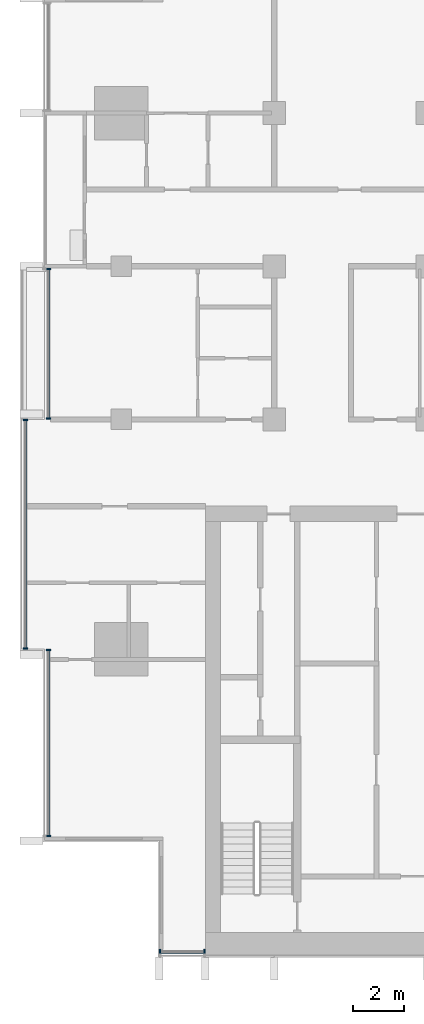
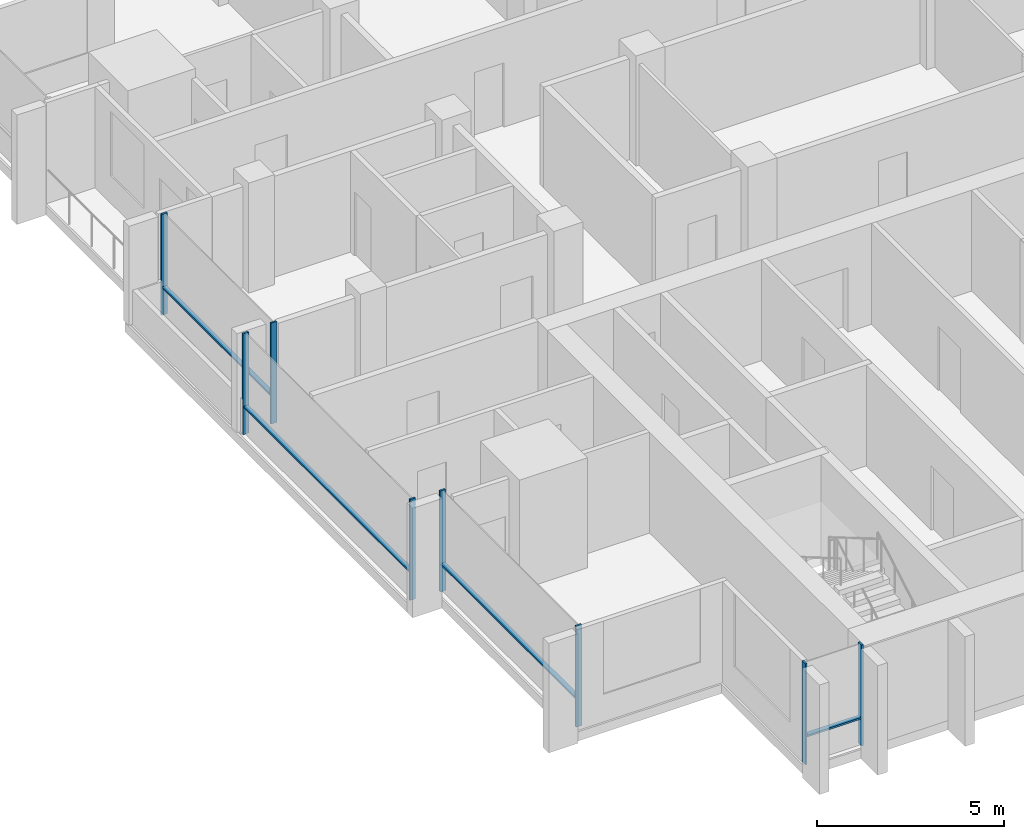
# One storey, part 2 of 16: 12 members, 4 elements without a shape of their own.
"""IFC4 building model written with IfcOpenShell, lengths in metres."""

from ifc_helpers import new_model, si_unit, direction, frame, origin, origin_2d, place, context, subcontext, project, spatial, rectangle, extrude, material, material_profile, profile_set, type_object, element, aggregate, save


model = new_model("IFC4")

# Units and contexts
model_context = context("Model", 3, precision=1e-05, world=origin(), true_north=direction((0.0, 1.0)))
body_context = subcontext(model_context, "Body", "Model", "MODEL_VIEW")
ifc_project = project(units=[si_unit("LENGTHUNIT", "METRE"), si_unit("AREAUNIT", "SQUARE_METRE"), si_unit("VOLUMEUNIT", "CUBIC_METRE"), si_unit("PLANEANGLEUNIT", "RADIAN"), si_unit("MASSUNIT", "GRAM", prefix="KILO")], contexts=[model_context])

# Site, building, storey
site_placement = place(None, origin())
site = spatial("IfcSite", under=ifc_project, at=site_placement, CompositionType="ELEMENT")
building_placement = place(site_placement, origin())
building = spatial("IfcBuilding", under=site, at=building_placement, Name="Finial Court Residences", CompositionType="ELEMENT")
storey_placement = place(building_placement, frame((0.0, 0.0, 208.699951171875)))
storey = spatial("IfcBuildingStorey", under=building, at=storey_placement, Name="L52", CompositionType="ELEMENT", Elevation=208.699951171875)

# Curtain wall, members
ifc_material = material(Name="Bronze anodised aluminium", Category="aluminium")
curtain_wall_type = type_object("IfcCurtainWallType", Name="Unitised curtain wall, upper zones", PredefinedType="NOTDEFINED", material=ifc_material)
curtain_wall_1_placement = place(storey_placement, origin())
curtain_wall_1 = element("IfcCurtainWall", 1, at=curtain_wall_1_placement, inside=storey, type_object=curtain_wall_type, Name="E-L52-CW-S7", PredefinedType="NOTDEFINED")
ifc_material_profile_1 = material_profile(ifc_material, rectangle(XDim=0.175048828125, YDim=0.06005859375, at=origin_2d()), Name="CW2 mullion 60 x 175")
ifc_profile_set_1 = profile_set([ifc_material_profile_1], Name="Bronze anodised aluminium")
member_type_1 = type_object("IfcMemberType", Name="CW2 mullion 60 x 175", PredefinedType="MULLION", material=ifc_profile_set_1)
member_1_placement = place(storey_placement, frame((-14.969970703125, -25.35009765625, 0.0), z_axis=(0.0, 0.0, 1.0), x_axis=(0.0, 1.0, 0.0)))
member_1 = element("IfcMember", 2, at=member_1_placement, type_object=member_type_1, Name="CW2 mullion 1", PredefinedType="MULLION", context=body_context, shape_type="SweptSolid", body=[
    extrude(rectangle(XDim=0.175048828125, YDim=0.06005859375, at=origin_2d()), origin(), (0.0, 0.0, 1.0), 3.300048828125),
])
member_2_placement = place(storey_placement, frame((-13.22998046875, -25.35009765625, 0.0), z_axis=(0.0, 0.0, 1.0), x_axis=(0.0, 1.0, 0.0)))
member_2 = element("IfcMember", 3, at=member_2_placement, type_object=member_type_1, Name="CW2 mullion 2", PredefinedType="MULLION", context=body_context, shape_type="SweptSolid", body=[
    extrude(rectangle(XDim=0.175048828125, YDim=0.06005859375, at=origin_2d()), origin(), (0.0, 0.0, 1.0), 3.300048828125),
])

curtain_wall_2_placement = place(storey_placement, origin())
curtain_wall_2 = element("IfcCurtainWall", 4, at=curtain_wall_2_placement, inside=storey, type_object=curtain_wall_type, Name="E-L52-CW-W9", PredefinedType="NOTDEFINED")
member_3_placement = place(storey_placement, frame((-19.35009765625, -20.820068359375, 0.0), z_axis=(0.0, 0.0, 1.0), x_axis=(-1.0, 0.0, 0.0)))
member_3 = element("IfcMember", 5, at=member_3_placement, type_object=member_type_1, Name="CW2 mullion 1", PredefinedType="MULLION", context=body_context, shape_type="SweptSolid", body=[
    extrude(rectangle(XDim=0.175048828125, YDim=0.06005859375, at=origin_2d()), origin(), (0.0, 0.0, 1.0), 3.300048828125),
])
member_4_placement = place(storey_placement, frame((-19.35009765625, -13.530029296875, 0.0), z_axis=(0.0, 0.0, 1.0), x_axis=(-1.0, 0.0, 0.0)))
member_4 = element("IfcMember", 6, at=member_4_placement, type_object=member_type_1, Name="CW2 mullion 2", PredefinedType="MULLION", context=body_context, shape_type="SweptSolid", body=[
    extrude(rectangle(XDim=0.175048828125, YDim=0.06005859375, at=origin_2d()), origin(), (0.0, 0.0, 1.0), 3.300048828125),
])

curtain_wall_3_placement = place(storey_placement, origin())
curtain_wall_3 = element("IfcCurtainWall", 7, at=curtain_wall_3_placement, inside=storey, type_object=curtain_wall_type, Name="E-L52-CW-W10", PredefinedType="NOTDEFINED")
member_5_placement = place(storey_placement, frame((-20.25, -13.469970703125, 0.0), z_axis=(0.0, 0.0, 1.0), x_axis=(-1.0, 0.0, 0.0)))
member_5 = element("IfcMember", 8, at=member_5_placement, type_object=member_type_1, Name="CW2 mullion 1", PredefinedType="MULLION", context=body_context, shape_type="SweptSolid", body=[
    extrude(rectangle(XDim=0.175048828125, YDim=0.06005859375, at=origin_2d()), origin(), (0.0, 0.0, 1.0), 3.300048828125),
])
member_6_placement = place(storey_placement, frame((-20.25, -4.530029296875, 0.0), z_axis=(0.0, 0.0, 1.0), x_axis=(-1.0, 0.0, 0.0)))
member_6 = element("IfcMember", 9, at=member_6_placement, type_object=member_type_1, Name="CW2 mullion 2", PredefinedType="MULLION", context=body_context, shape_type="SweptSolid", body=[
    extrude(rectangle(XDim=0.175048828125, YDim=0.06005859375, at=origin_2d()), origin(), (0.0, 0.0, 1.0), 3.300048828125),
])

curtain_wall_4_placement = place(storey_placement, origin())
curtain_wall_4 = element("IfcCurtainWall", 10, at=curtain_wall_4_placement, inside=storey, type_object=curtain_wall_type, Name="E-L52-CW-W11", PredefinedType="NOTDEFINED")
member_7_placement = place(storey_placement, frame((-19.35009765625, -4.469970703125, 0.0), z_axis=(0.0, 0.0, 1.0), x_axis=(-1.0, 0.0, 0.0)))
member_7 = element("IfcMember", 11, at=member_7_placement, type_object=member_type_1, Name="CW2 mullion 1", PredefinedType="MULLION", context=body_context, shape_type="SweptSolid", body=[
    extrude(rectangle(XDim=0.175048828125, YDim=0.06005859375, at=origin_2d()), origin(), (0.0, 0.0, 1.0), 3.300048828125),
])
member_8_placement = place(storey_placement, frame((-19.35009765625, 1.39501953125, 0.0), z_axis=(0.0, 0.0, 1.0), x_axis=(-1.0, 0.0, 0.0)))
member_8 = element("IfcMember", 12, at=member_8_placement, type_object=member_type_1, Name="CW2 mullion 2", PredefinedType="MULLION", context=body_context, shape_type="SweptSolid", body=[
    extrude(rectangle(XDim=0.175048828125, YDim=0.06005859375, at=origin_2d()), origin(), (0.0, 0.0, 1.0), 3.300048828125),
])

# Member
ifc_material_profile_2 = material_profile(ifc_material, rectangle(XDim=0.139892578125, YDim=0.06005859375, at=origin_2d()), Name="CW2 transom 60 x 140")
ifc_profile_set_2 = profile_set([ifc_material_profile_2], Name="Bronze anodised aluminium")
member_type_2 = type_object("IfcMemberType", Name="CW2 transom 60 x 140", PredefinedType="USERDEFINED", material=ifc_profile_set_2)
member_9_placement = place(storey_placement, frame((-14.93994140625, -25.35009765625, 0.900146484375), z_axis=(1.0, 0.0, 0.0), x_axis=(0.0, 1.0, 0.0)))
member_9 = element("IfcMember", 13, at=member_9_placement, type_object=member_type_2, Name="CW2 transom 1.1", ObjectType="TRANSOM", PredefinedType="USERDEFINED", context=body_context, shape_type="SweptSolid", body=[
    extrude(rectangle(XDim=0.139892578125, YDim=0.06005859375, at=origin_2d()), origin(), (0.0, 0.0, 1.0), 1.679931640625),
])

aggregate(curtain_wall_1, [member_1, member_2, member_9])

member_10_placement = place(storey_placement, frame((-19.35009765625, -20.7900390625, 0.900146484375), z_axis=(0.0, 1.0, 0.0), x_axis=(-1.0, 0.0, 0.0)))
member_10 = element("IfcMember", 14, at=member_10_placement, type_object=member_type_2, Name="CW2 transom 1.1", ObjectType="TRANSOM", PredefinedType="USERDEFINED", context=body_context, shape_type="SweptSolid", body=[
    extrude(rectangle(XDim=0.139892578125, YDim=0.06005859375, at=origin_2d()), origin(), (0.0, 0.0, 1.0), 7.22998046875),
])

aggregate(curtain_wall_2, [member_3, member_4, member_10])

member_11_placement = place(storey_placement, frame((-20.25, -13.43994140625, 0.900146484375), z_axis=(0.0, 1.0, 0.0), x_axis=(-1.0, 0.0, 0.0)))
member_11 = element("IfcMember", 15, at=member_11_placement, type_object=member_type_2, Name="CW2 transom 1.1", ObjectType="TRANSOM", PredefinedType="USERDEFINED", context=body_context, shape_type="SweptSolid", body=[
    extrude(rectangle(XDim=0.139892578125, YDim=0.06005859375, at=origin_2d()), origin(), (0.0, 0.0, 1.0), 8.8798828125),
])

aggregate(curtain_wall_3, [member_5, member_6, member_11])

member_12_placement = place(storey_placement, frame((-19.35009765625, -4.43994140625, 0.900146484375), z_axis=(0.0, 1.0, 0.0), x_axis=(-1.0, 0.0, 0.0)))
member_12 = element("IfcMember", 16, at=member_12_placement, type_object=member_type_2, Name="CW2 transom 1.1", ObjectType="TRANSOM", PredefinedType="USERDEFINED", context=body_context, shape_type="SweptSolid", body=[
    extrude(rectangle(XDim=0.139892578125, YDim=0.06005859375, at=origin_2d()), origin(), (0.0, 0.0, 1.0), 5.804931640625),
])

aggregate(curtain_wall_4, [member_7, member_8, member_12])

save(model, "model.ifc")
